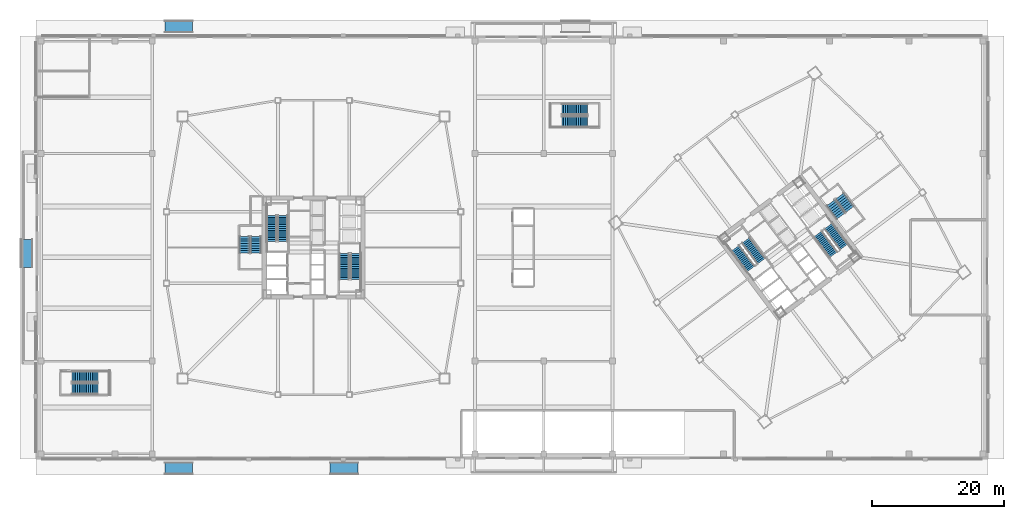
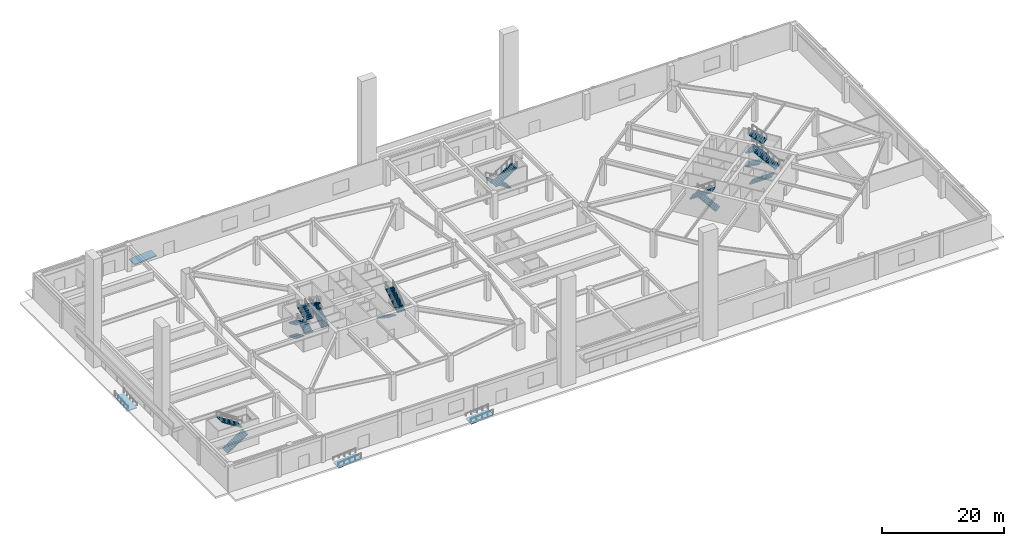
# One storey, part 15 of 26: 20 stair flights, 4 ramp flights, 12 elements without a shape of their own.
"""IFC4 building model written with IfcOpenShell, lengths in metres."""

from ifc_helpers import new_model, si_unit, direction, frame, origin, place, context, subcontext, project, spatial, polyline, outline, extrude, material, layer, layer_set, type_object, element, aggregate, save


model = new_model("IFC4")

# Units and contexts
model_context = context("Model", 3, precision=1e-05, world=origin(), true_north=direction((0.0, 1.0)))
body_context = subcontext(model_context, "Body", "Model", "MODEL_VIEW")
ifc_project = project(units=[si_unit("LENGTHUNIT", "METRE"), si_unit("AREAUNIT", "SQUARE_METRE"), si_unit("VOLUMEUNIT", "CUBIC_METRE"), si_unit("PLANEANGLEUNIT", "RADIAN"), si_unit("MASSUNIT", "GRAM", prefix="KILO")], contexts=[model_context])

# Site, building, storey
site_placement = place(None, origin())
site = spatial("IfcSite", under=ifc_project, at=site_placement, CompositionType="ELEMENT")
building_placement = place(site_placement, origin())
building = spatial("IfcBuilding", under=site, at=building_placement, Name="Tashvorn Skyway Center", CompositionType="ELEMENT")
storey_placement = place(building_placement, origin())
storey = spatial("IfcBuildingStorey", under=building, at=storey_placement, Name="L00", CompositionType="ELEMENT", Elevation=0.0)

# Stair, stair flights
ifc_material = material(Name="Concrete C40/50", Category="concrete")
stair_type_1 = type_object("IfcStairType", Name="STAIR-CORE-1500", PredefinedType="HALF_TURN_STAIR", material=ifc_material)
stair_1_placement = place(storey_placement, origin())
stair_1 = element("IfcStair", 1, at=stair_1_placement, inside=storey, type_object=stair_type_1, Name="L00 Tower 1 Exit Stair 1", PredefinedType="HALF_TURN_STAIR")
stair_flight_type_1 = type_object("IfcStairFlightType", Name="SFLIGHT-1500", PredefinedType="STRAIGHT", material=ifc_material)
stair_flight_1_placement = place(storey_placement, frame((37.35009765625, 32.919921875, 0.0), z_axis=(0.0, 0.0, 1.0), x_axis=(0.0, 1.0, 0.0)))
stair_flight_1 = element("IfcStairFlight", 2, at=stair_flight_1_placement, type_object=stair_flight_type_1, Name="ST-T1-1 flight 1", NumberOfRisers=15, NumberOfTreads=14, PredefinedType="STRAIGHT", RiserHeight=0.18, TreadLength=0.28, context=body_context, shape_type="SweptSolid", body=[
    extrude(outline(polyline([(0.0, 0.0), (0.0, 0.179931640625), (0.280029296875, 0.179931640625), (0.280029296875, 0.360107421875), (0.56005859375, 0.360107421875), (0.56005859375, 0.5400390625), (0.840087890625, 0.5400390625), (0.840087890625, 0.719970703125), (1.1201171875, 0.719970703125), (1.1201171875, 0.89990234375), (1.39990234375, 0.89990234375), (1.39990234375, 1.080078125), (1.679931640625, 1.080078125), (1.679931640625, 1.260009765625), (1.9599609375, 1.260009765625), (1.9599609375, 1.43994140625), (2.239990234375, 1.43994140625), (2.239990234375, 1.6201171875), (2.52001953125, 1.6201171875), (2.52001953125, 1.800048828125), (2.800048828125, 1.800048828125), (2.800048828125, 1.97998046875), (3.080078125, 1.97998046875), (3.080078125, 2.159912109375), (3.360107421875, 2.159912109375), (3.360107421875, 2.340087890625), (3.639892578125, 2.340087890625), (3.639892578125, 2.52001953125), (3.919921875, 2.52001953125), (3.919921875, 2.699951171875), (3.919921875, 2.341796875), (0.277099609375, 0.0), (0.0, 0.0)])), frame((0.0, 0.75, 0.0), z_axis=(0.0, -1.0, 0.0), x_axis=(1.0, 0.0, 0.0)), (0.0, 0.0, 1.0), 1.5),
])
stair_flight_2_placement = place(storey_placement, frame((35.64990234375, 36.840087890625, 2.699951171875), z_axis=(0.0, 0.0, 1.0), x_axis=(0.0, -1.0, 0.0)))
stair_flight_2 = element("IfcStairFlight", 3, at=stair_flight_2_placement, type_object=stair_flight_type_1, Name="ST-T1-1 flight 2", NumberOfRisers=15, NumberOfTreads=14, PredefinedType="STRAIGHT", RiserHeight=0.18, TreadLength=0.28, context=body_context, shape_type="SweptSolid", body=[
    extrude(outline(polyline([(0.0, 0.0), (0.0, 0.179931640625), (0.280029296875, 0.179931640625), (0.280029296875, 0.360107421875), (0.56005859375, 0.360107421875), (0.56005859375, 0.5400390625), (0.840087890625, 0.5400390625), (0.840087890625, 0.719970703125), (1.1201171875, 0.719970703125), (1.1201171875, 0.89990234375), (1.39990234375, 0.89990234375), (1.39990234375, 1.080078125), (1.679931640625, 1.080078125), (1.679931640625, 1.260009765625), (1.9599609375, 1.260009765625), (1.9599609375, 1.43994140625), (2.239990234375, 1.43994140625), (2.239990234375, 1.6201171875), (2.52001953125, 1.6201171875), (2.52001953125, 1.800048828125), (2.800048828125, 1.800048828125), (2.800048828125, 1.97998046875), (3.080078125, 1.97998046875), (3.080078125, 2.159912109375), (3.360107421875, 2.159912109375), (3.360107421875, 2.340087890625), (3.639892578125, 2.340087890625), (3.639892578125, 2.52001953125), (3.919921875, 2.52001953125), (3.919921875, 2.699951171875), (3.919921875, 2.341796875), (0.277099609375, 0.0), (0.0, 0.0)])), frame((0.0, 0.75, 0.0), z_axis=(0.0, -1.0, 0.0), x_axis=(1.0, 0.0, 0.0)), (0.0, 0.0, 1.0), 1.5),
])
aggregate(stair_1, [stair_flight_1, stair_flight_2])

stair_2_placement = place(storey_placement, origin())
stair_2 = element("IfcStair", 4, at=stair_2_placement, inside=storey, type_object=stair_type_1, Name="L00 Tower 1 Exit Stair 2", PredefinedType="HALF_TURN_STAIR")
stair_flight_3_placement = place(storey_placement, frame((46.64990234375, 31.080078125, 0.0), z_axis=(0.0, 0.0, 1.0), x_axis=(0.0, -1.0, 0.0)))
stair_flight_3 = element("IfcStairFlight", 5, at=stair_flight_3_placement, type_object=stair_flight_type_1, Name="ST-T1-2 flight 1", NumberOfRisers=15, NumberOfTreads=14, PredefinedType="STRAIGHT", RiserHeight=0.18, TreadLength=0.28, context=body_context, shape_type="SweptSolid", body=[
    extrude(outline(polyline([(0.0, 0.0), (0.0, 0.179931640625), (0.280029296875, 0.179931640625), (0.280029296875, 0.360107421875), (0.56005859375, 0.360107421875), (0.56005859375, 0.5400390625), (0.840087890625, 0.5400390625), (0.840087890625, 0.719970703125), (1.1201171875, 0.719970703125), (1.1201171875, 0.89990234375), (1.39990234375, 0.89990234375), (1.39990234375, 1.080078125), (1.679931640625, 1.080078125), (1.679931640625, 1.260009765625), (1.9599609375, 1.260009765625), (1.9599609375, 1.43994140625), (2.239990234375, 1.43994140625), (2.239990234375, 1.6201171875), (2.52001953125, 1.6201171875), (2.52001953125, 1.800048828125), (2.800048828125, 1.800048828125), (2.800048828125, 1.97998046875), (3.080078125, 1.97998046875), (3.080078125, 2.159912109375), (3.360107421875, 2.159912109375), (3.360107421875, 2.340087890625), (3.639892578125, 2.340087890625), (3.639892578125, 2.52001953125), (3.919921875, 2.52001953125), (3.919921875, 2.699951171875), (3.919921875, 2.341796875), (0.277099609375, 0.0), (0.0, 0.0)])), frame((0.0, 0.75, 0.0), z_axis=(0.0, -1.0, 0.0), x_axis=(1.0, 0.0, 0.0)), (0.0, 0.0, 1.0), 1.5),
])
stair_flight_4_placement = place(storey_placement, frame((48.35009765625, 27.159912109375, 2.699951171875), z_axis=(0.0, 0.0, 1.0), x_axis=(0.0, 1.0, 0.0)))
stair_flight_4 = element("IfcStairFlight", 6, at=stair_flight_4_placement, type_object=stair_flight_type_1, Name="ST-T1-2 flight 2", NumberOfRisers=15, NumberOfTreads=14, PredefinedType="STRAIGHT", RiserHeight=0.18, TreadLength=0.28, context=body_context, shape_type="SweptSolid", body=[
    extrude(outline(polyline([(0.0, 0.0), (0.0, 0.179931640625), (0.280029296875, 0.179931640625), (0.280029296875, 0.360107421875), (0.56005859375, 0.360107421875), (0.56005859375, 0.5400390625), (0.840087890625, 0.5400390625), (0.840087890625, 0.719970703125), (1.1201171875, 0.719970703125), (1.1201171875, 0.89990234375), (1.39990234375, 0.89990234375), (1.39990234375, 1.080078125), (1.679931640625, 1.080078125), (1.679931640625, 1.260009765625), (1.9599609375, 1.260009765625), (1.9599609375, 1.43994140625), (2.239990234375, 1.43994140625), (2.239990234375, 1.6201171875), (2.52001953125, 1.6201171875), (2.52001953125, 1.800048828125), (2.800048828125, 1.800048828125), (2.800048828125, 1.97998046875), (3.080078125, 1.97998046875), (3.080078125, 2.159912109375), (3.360107421875, 2.159912109375), (3.360107421875, 2.340087890625), (3.639892578125, 2.340087890625), (3.639892578125, 2.52001953125), (3.919921875, 2.52001953125), (3.919921875, 2.699951171875), (3.919921875, 2.341796875), (0.277099609375, 0.0), (0.0, 0.0)])), frame((0.0, 0.75, 0.0), z_axis=(0.0, -1.0, 0.0), x_axis=(1.0, 0.0, 0.0)), (0.0, 0.0, 1.0), 1.5),
])
aggregate(stair_2, [stair_flight_3, stair_flight_4])

stair_3_placement = place(storey_placement, origin())
stair_3 = element("IfcStair", 7, at=stair_3_placement, inside=storey, type_object=stair_type_1, Name="L00 Tower 2 Exit Stair 1", PredefinedType="HALF_TURN_STAIR")
stair_flight_5_placement = place(storey_placement, frame((109.72802734375, 29.946044921875, 0.0), z_axis=(0.0, 0.0, 1.0), x_axis=(-0.600000004945, 0.799999996291, 0.0)))
stair_flight_5 = element("IfcStairFlight", 8, at=stair_flight_5_placement, type_object=stair_flight_type_1, Name="ST-T2-1 flight 1", NumberOfRisers=15, NumberOfTreads=14, PredefinedType="STRAIGHT", RiserHeight=0.18, TreadLength=0.28, context=body_context, shape_type="SweptSolid", body=[
    extrude(outline(polyline([(0.0, 0.0), (0.0, 0.179931640625), (0.280029296875, 0.179931640625), (0.280029296875, 0.360107421875), (0.56005859375, 0.360107421875), (0.56005859375, 0.5400390625), (0.840087890625, 0.5400390625), (0.840087890625, 0.719970703125), (1.1201171875, 0.719970703125), (1.1201171875, 0.89990234375), (1.39990234375, 0.89990234375), (1.39990234375, 1.080078125), (1.679931640625, 1.080078125), (1.679931640625, 1.260009765625), (1.9599609375, 1.260009765625), (1.9599609375, 1.43994140625), (2.239990234375, 1.43994140625), (2.239990234375, 1.6201171875), (2.52001953125, 1.6201171875), (2.52001953125, 1.800048828125), (2.800048828125, 1.800048828125), (2.800048828125, 1.97998046875), (3.080078125, 1.97998046875), (3.080078125, 2.159912109375), (3.360107421875, 2.159912109375), (3.360107421875, 2.340087890625), (3.639892578125, 2.340087890625), (3.639892578125, 2.52001953125), (3.919921875, 2.52001953125), (3.919921875, 2.699951171875), (3.919921875, 2.341796875), (0.277099609375, 0.0), (0.0, 0.0)])), frame((0.0, 0.75, 0.0), z_axis=(0.0, -1.0, 0.0), x_axis=(1.0, 0.0, 0.0)), (0.0, 0.0, 1.0), 1.5),
])
stair_flight_6_placement = place(storey_placement, frame((105.7919921875, 31.89404296875, 2.699951171875), z_axis=(0.0, 0.0, 1.0), x_axis=(0.600000004945, -0.799999996291, 0.0)))
stair_flight_6 = element("IfcStairFlight", 9, at=stair_flight_6_placement, type_object=stair_flight_type_1, Name="ST-T2-1 flight 2", NumberOfRisers=15, NumberOfTreads=14, PredefinedType="STRAIGHT", RiserHeight=0.18, TreadLength=0.28, context=body_context, shape_type="SweptSolid", body=[
    extrude(outline(polyline([(0.0, 0.0), (0.0, 0.179931640625), (0.280029296875, 0.179931640625), (0.280029296875, 0.360107421875), (0.56005859375, 0.360107421875), (0.56005859375, 0.5400390625), (0.840087890625, 0.5400390625), (0.840087890625, 0.719970703125), (1.1201171875, 0.719970703125), (1.1201171875, 0.89990234375), (1.39990234375, 0.89990234375), (1.39990234375, 1.080078125), (1.679931640625, 1.080078125), (1.679931640625, 1.260009765625), (1.9599609375, 1.260009765625), (1.9599609375, 1.43994140625), (2.239990234375, 1.43994140625), (2.239990234375, 1.6201171875), (2.52001953125, 1.6201171875), (2.52001953125, 1.800048828125), (2.800048828125, 1.800048828125), (2.800048828125, 1.97998046875), (3.080078125, 1.97998046875), (3.080078125, 2.159912109375), (3.360107421875, 2.159912109375), (3.360107421875, 2.340087890625), (3.639892578125, 2.340087890625), (3.639892578125, 2.52001953125), (3.919921875, 2.52001953125), (3.919921875, 2.699951171875), (3.919921875, 2.341796875), (0.277099609375, 0.0), (0.0, 0.0)])), frame((0.0, 0.75, 0.0), z_axis=(0.0, -1.0, 0.0), x_axis=(1.0, 0.0, 0.0)), (0.0, 0.0, 1.0), 1.5),
])
aggregate(stair_3, [stair_flight_5, stair_flight_6])

stair_4_placement = place(storey_placement, origin())
stair_4 = element("IfcStair", 10, at=stair_4_placement, inside=storey, type_object=stair_type_1, Name="L00 Tower 2 Exit Stair 2", PredefinedType="HALF_TURN_STAIR")
stair_flight_7_placement = place(storey_placement, frame((118.27197265625, 34.053955078125, 0.0), z_axis=(0.0, 0.0, 1.0), x_axis=(0.600000004945, -0.799999996291, 0.0)))
stair_flight_7 = element("IfcStairFlight", 11, at=stair_flight_7_placement, type_object=stair_flight_type_1, Name="ST-T2-2 flight 1", NumberOfRisers=15, NumberOfTreads=14, PredefinedType="STRAIGHT", RiserHeight=0.18, TreadLength=0.28, context=body_context, shape_type="SweptSolid", body=[
    extrude(outline(polyline([(0.0, 0.0), (0.0, 0.179931640625), (0.280029296875, 0.179931640625), (0.280029296875, 0.360107421875), (0.56005859375, 0.360107421875), (0.56005859375, 0.5400390625), (0.840087890625, 0.5400390625), (0.840087890625, 0.719970703125), (1.1201171875, 0.719970703125), (1.1201171875, 0.89990234375), (1.39990234375, 0.89990234375), (1.39990234375, 1.080078125), (1.679931640625, 1.080078125), (1.679931640625, 1.260009765625), (1.9599609375, 1.260009765625), (1.9599609375, 1.43994140625), (2.239990234375, 1.43994140625), (2.239990234375, 1.6201171875), (2.52001953125, 1.6201171875), (2.52001953125, 1.800048828125), (2.800048828125, 1.800048828125), (2.800048828125, 1.97998046875), (3.080078125, 1.97998046875), (3.080078125, 2.159912109375), (3.360107421875, 2.159912109375), (3.360107421875, 2.340087890625), (3.639892578125, 2.340087890625), (3.639892578125, 2.52001953125), (3.919921875, 2.52001953125), (3.919921875, 2.699951171875), (3.919921875, 2.341796875), (0.277099609375, 0.0), (0.0, 0.0)])), frame((0.0, 0.75, 0.0), z_axis=(0.0, -1.0, 0.0), x_axis=(1.0, 0.0, 0.0)), (0.0, 0.0, 1.0), 1.5),
])
stair_flight_8_placement = place(storey_placement, frame((122.2080078125, 32.10595703125, 2.699951171875), z_axis=(0.0, 0.0, 1.0), x_axis=(-0.600000004945, 0.799999996291, 0.0)))
stair_flight_8 = element("IfcStairFlight", 12, at=stair_flight_8_placement, type_object=stair_flight_type_1, Name="ST-T2-2 flight 2", NumberOfRisers=15, NumberOfTreads=14, PredefinedType="STRAIGHT", RiserHeight=0.18, TreadLength=0.28, context=body_context, shape_type="SweptSolid", body=[
    extrude(outline(polyline([(0.0, 0.0), (0.0, 0.179931640625), (0.280029296875, 0.179931640625), (0.280029296875, 0.360107421875), (0.56005859375, 0.360107421875), (0.56005859375, 0.5400390625), (0.840087890625, 0.5400390625), (0.840087890625, 0.719970703125), (1.1201171875, 0.719970703125), (1.1201171875, 0.89990234375), (1.39990234375, 0.89990234375), (1.39990234375, 1.080078125), (1.679931640625, 1.080078125), (1.679931640625, 1.260009765625), (1.9599609375, 1.260009765625), (1.9599609375, 1.43994140625), (2.239990234375, 1.43994140625), (2.239990234375, 1.6201171875), (2.52001953125, 1.6201171875), (2.52001953125, 1.800048828125), (2.800048828125, 1.800048828125), (2.800048828125, 1.97998046875), (3.080078125, 1.97998046875), (3.080078125, 2.159912109375), (3.360107421875, 2.159912109375), (3.360107421875, 2.340087890625), (3.639892578125, 2.340087890625), (3.639892578125, 2.52001953125), (3.919921875, 2.52001953125), (3.919921875, 2.699951171875), (3.919921875, 2.341796875), (0.277099609375, 0.0), (0.0, 0.0)])), frame((0.0, 0.75, 0.0), z_axis=(0.0, -1.0, 0.0), x_axis=(1.0, 0.0, 0.0)), (0.0, 0.0, 1.0), 1.5),
])
aggregate(stair_4, [stair_flight_7, stair_flight_8])

stair_5_placement = place(storey_placement, origin())
stair_5 = element("IfcStair", 13, at=stair_5_placement, inside=storey, type_object=stair_type_1, Name="L00 Tower 1 Exit Stair 3", PredefinedType="HALF_TURN_STAIR")
stair_flight_9_placement = place(storey_placement, frame((31.550048828125, 33.679931640625, 0.0), z_axis=(0.0, 0.0, 1.0), x_axis=(0.0, -1.0, 0.0)))
stair_flight_9 = element("IfcStairFlight", 14, at=stair_flight_9_placement, type_object=stair_flight_type_1, Name="ST-T1-3 flight 1", NumberOfRisers=8, NumberOfTreads=7, PredefinedType="STRAIGHT", RiserHeight=0.16875, TreadLength=0.36, context=body_context, shape_type="SweptSolid", body=[
    extrude(outline(polyline([(0.0, 0.0), (0.0, 0.168701171875), (0.360107421875, 0.168701171875), (0.360107421875, 0.33740234375), (0.719970703125, 0.33740234375), (0.719970703125, 0.50634765625), (1.080078125, 0.50634765625), (1.080078125, 0.675048828125), (1.43994140625, 0.675048828125), (1.43994140625, 0.84375), (1.800048828125, 0.84375), (1.800048828125, 1.012451171875), (2.159912109375, 1.012451171875), (2.159912109375, 1.18115234375), (2.52001953125, 1.18115234375), (2.52001953125, 1.35009765625), (2.52001953125, 1.015625), (0.353271484375, 0.0), (0.0, 0.0)])), frame((0.0, 0.75, 0.0), z_axis=(0.0, -1.0, 0.0), x_axis=(1.0, 0.0, 0.0)), (0.0, 0.0, 1.0), 1.5),
])
stair_flight_10_placement = place(storey_placement, frame((33.25, 31.159912109375, 1.35009765625), z_axis=(0.0, 0.0, 1.0), x_axis=(0.0, 1.0, 0.0)))
stair_flight_10 = element("IfcStairFlight", 15, at=stair_flight_10_placement, type_object=stair_flight_type_1, Name="ST-T1-3 flight 2", NumberOfRisers=8, NumberOfTreads=7, PredefinedType="STRAIGHT", RiserHeight=0.16875, TreadLength=0.36, context=body_context, shape_type="SweptSolid", body=[
    extrude(outline(polyline([(0.0, 0.0), (0.0, 0.168701171875), (0.360107421875, 0.168701171875), (0.360107421875, 0.33740234375), (0.719970703125, 0.33740234375), (0.719970703125, 0.50634765625), (1.080078125, 0.50634765625), (1.080078125, 0.675048828125), (1.43994140625, 0.675048828125), (1.43994140625, 0.84375), (1.800048828125, 0.84375), (1.800048828125, 1.012451171875), (2.159912109375, 1.012451171875), (2.159912109375, 1.18115234375), (2.52001953125, 1.18115234375), (2.52001953125, 1.35009765625), (2.52001953125, 1.015625), (0.353271484375, 0.0), (0.0, 0.0)])), frame((0.0, 0.75, 0.0), z_axis=(0.0, -1.0, 0.0), x_axis=(1.0, 0.0, 0.0)), (0.0, 0.0, 1.0), 1.5),
])
stair_flight_11_placement = place(storey_placement, frame((31.550048828125, 33.679931640625, 2.699951171875), z_axis=(0.0, 0.0, 1.0), x_axis=(0.0, -1.0, 0.0)))
stair_flight_11 = element("IfcStairFlight", 16, at=stair_flight_11_placement, type_object=stair_flight_type_1, Name="ST-T1-3 flight 3", NumberOfRisers=8, NumberOfTreads=7, PredefinedType="STRAIGHT", RiserHeight=0.16875, TreadLength=0.36, context=body_context, shape_type="SweptSolid", body=[
    extrude(outline(polyline([(0.0, 0.0), (0.0, 0.168701171875), (0.360107421875, 0.168701171875), (0.360107421875, 0.33740234375), (0.719970703125, 0.33740234375), (0.719970703125, 0.50634765625), (1.080078125, 0.50634765625), (1.080078125, 0.675048828125), (1.43994140625, 0.675048828125), (1.43994140625, 0.84375), (1.800048828125, 0.84375), (1.800048828125, 1.012451171875), (2.159912109375, 1.012451171875), (2.159912109375, 1.18115234375), (2.52001953125, 1.18115234375), (2.52001953125, 1.35009765625), (2.52001953125, 1.015625), (0.353271484375, 0.0), (0.0, 0.0)])), frame((0.0, 0.75, 0.0), z_axis=(0.0, -1.0, 0.0), x_axis=(1.0, 0.0, 0.0)), (0.0, 0.0, 1.0), 1.5),
])
stair_flight_12_placement = place(storey_placement, frame((33.25, 31.159912109375, 4.050048828125), z_axis=(0.0, 0.0, 1.0), x_axis=(0.0, 1.0, 0.0)))
stair_flight_12 = element("IfcStairFlight", 17, at=stair_flight_12_placement, type_object=stair_flight_type_1, Name="ST-T1-3 flight 4", NumberOfRisers=8, NumberOfTreads=7, PredefinedType="STRAIGHT", RiserHeight=0.16875, TreadLength=0.36, context=body_context, shape_type="SweptSolid", body=[
    extrude(outline(polyline([(0.0, 0.0), (0.0, 0.168701171875), (0.360107421875, 0.168701171875), (0.360107421875, 0.33740234375), (0.719970703125, 0.33740234375), (0.719970703125, 0.50634765625), (1.080078125, 0.50634765625), (1.080078125, 0.675048828125), (1.43994140625, 0.675048828125), (1.43994140625, 0.84375), (1.800048828125, 0.84375), (1.800048828125, 1.012451171875), (2.159912109375, 1.012451171875), (2.159912109375, 1.18115234375), (2.52001953125, 1.18115234375), (2.52001953125, 1.35009765625), (2.52001953125, 1.015625), (0.353271484375, 0.0), (0.0, 0.0)])), frame((0.0, 0.75, 0.0), z_axis=(0.0, -1.0, 0.0), x_axis=(1.0, 0.0, 0.0)), (0.0, 0.0, 1.0), 1.5),
])
aggregate(stair_5, [stair_flight_9, stair_flight_10, stair_flight_11, stair_flight_12])

stair_6_placement = place(storey_placement, origin())
stair_6 = element("IfcStair", 18, at=stair_6_placement, inside=storey, type_object=stair_type_1, Name="L00 Tower 2 Exit Stair 3", PredefinedType="HALF_TURN_STAIR")
stair_flight_13_placement = place(storey_placement, frame((120.216064453125, 38.761962890625, 0.0), z_axis=(0.0, 0.0, 1.0), x_axis=(0.600000004945, -0.799999996291, 0.0)))
stair_flight_13 = element("IfcStairFlight", 19, at=stair_flight_13_placement, type_object=stair_flight_type_1, Name="ST-T2-3 flight 1", NumberOfRisers=8, NumberOfTreads=7, PredefinedType="STRAIGHT", RiserHeight=0.16875, TreadLength=0.36, context=body_context, shape_type="SweptSolid", body=[
    extrude(outline(polyline([(0.0, 0.0), (0.0, 0.168701171875), (0.360107421875, 0.168701171875), (0.360107421875, 0.33740234375), (0.719970703125, 0.33740234375), (0.719970703125, 0.50634765625), (1.080078125, 0.50634765625), (1.080078125, 0.675048828125), (1.43994140625, 0.675048828125), (1.43994140625, 0.84375), (1.800048828125, 0.84375), (1.800048828125, 1.012451171875), (2.159912109375, 1.012451171875), (2.159912109375, 1.18115234375), (2.52001953125, 1.18115234375), (2.52001953125, 1.35009765625), (2.52001953125, 1.015625), (0.353271484375, 0.0), (0.0, 0.0)])), frame((0.0, 0.75, 0.0), z_axis=(0.0, -1.0, 0.0), x_axis=(1.0, 0.0, 0.0)), (0.0, 0.0, 1.0), 1.5),
])
stair_flight_14_placement = place(storey_placement, frame((123.087890625, 37.76611328125, 1.35009765625), z_axis=(0.0, 0.0, 1.0), x_axis=(-0.600000004945, 0.799999996291, 0.0)))
stair_flight_14 = element("IfcStairFlight", 20, at=stair_flight_14_placement, type_object=stair_flight_type_1, Name="ST-T2-3 flight 2", NumberOfRisers=8, NumberOfTreads=7, PredefinedType="STRAIGHT", RiserHeight=0.16875, TreadLength=0.36, context=body_context, shape_type="SweptSolid", body=[
    extrude(outline(polyline([(0.0, 0.0), (0.0, 0.168701171875), (0.360107421875, 0.168701171875), (0.360107421875, 0.33740234375), (0.719970703125, 0.33740234375), (0.719970703125, 0.50634765625), (1.080078125, 0.50634765625), (1.080078125, 0.675048828125), (1.43994140625, 0.675048828125), (1.43994140625, 0.84375), (1.800048828125, 0.84375), (1.800048828125, 1.012451171875), (2.159912109375, 1.012451171875), (2.159912109375, 1.18115234375), (2.52001953125, 1.18115234375), (2.52001953125, 1.35009765625), (2.52001953125, 1.015625), (0.353271484375, 0.0), (0.0, 0.0)])), frame((0.0, 0.75, 0.0), z_axis=(0.0, -1.0, 0.0), x_axis=(1.0, 0.0, 0.0)), (0.0, 0.0, 1.0), 1.5),
])
stair_flight_15_placement = place(storey_placement, frame((120.216064453125, 38.761962890625, 2.699951171875), z_axis=(0.0, 0.0, 1.0), x_axis=(0.600000004945, -0.799999996291, 0.0)))
stair_flight_15 = element("IfcStairFlight", 21, at=stair_flight_15_placement, type_object=stair_flight_type_1, Name="ST-T2-3 flight 3", NumberOfRisers=8, NumberOfTreads=7, PredefinedType="STRAIGHT", RiserHeight=0.16875, TreadLength=0.36, context=body_context, shape_type="SweptSolid", body=[
    extrude(outline(polyline([(0.0, 0.0), (0.0, 0.168701171875), (0.360107421875, 0.168701171875), (0.360107421875, 0.33740234375), (0.719970703125, 0.33740234375), (0.719970703125, 0.50634765625), (1.080078125, 0.50634765625), (1.080078125, 0.675048828125), (1.43994140625, 0.675048828125), (1.43994140625, 0.84375), (1.800048828125, 0.84375), (1.800048828125, 1.012451171875), (2.159912109375, 1.012451171875), (2.159912109375, 1.18115234375), (2.52001953125, 1.18115234375), (2.52001953125, 1.35009765625), (2.52001953125, 1.015625), (0.353271484375, 0.0), (0.0, 0.0)])), frame((0.0, 0.75, 0.0), z_axis=(0.0, -1.0, 0.0), x_axis=(1.0, 0.0, 0.0)), (0.0, 0.0, 1.0), 1.5),
])
stair_flight_16_placement = place(storey_placement, frame((123.087890625, 37.76611328125, 4.050048828125), z_axis=(0.0, 0.0, 1.0), x_axis=(-0.600000004945, 0.799999996291, 0.0)))
stair_flight_16 = element("IfcStairFlight", 22, at=stair_flight_16_placement, type_object=stair_flight_type_1, Name="ST-T2-3 flight 4", NumberOfRisers=8, NumberOfTreads=7, PredefinedType="STRAIGHT", RiserHeight=0.16875, TreadLength=0.36, context=body_context, shape_type="SweptSolid", body=[
    extrude(outline(polyline([(0.0, 0.0), (0.0, 0.168701171875), (0.360107421875, 0.168701171875), (0.360107421875, 0.33740234375), (0.719970703125, 0.33740234375), (0.719970703125, 0.50634765625), (1.080078125, 0.50634765625), (1.080078125, 0.675048828125), (1.43994140625, 0.675048828125), (1.43994140625, 0.84375), (1.800048828125, 0.84375), (1.800048828125, 1.012451171875), (2.159912109375, 1.012451171875), (2.159912109375, 1.18115234375), (2.52001953125, 1.18115234375), (2.52001953125, 1.35009765625), (2.52001953125, 1.015625), (0.353271484375, 0.0), (0.0, 0.0)])), frame((0.0, 0.75, 0.0), z_axis=(0.0, -1.0, 0.0), x_axis=(1.0, 0.0, 0.0)), (0.0, 0.0, 1.0), 1.5),
])
aggregate(stair_6, [stair_flight_13, stair_flight_14, stair_flight_15, stair_flight_16])

stair_type_2 = type_object("IfcStairType", Name="STAIR-POD-1650", PredefinedType="HALF_TURN_STAIR", material=ifc_material)
stair_7_placement = place(storey_placement, origin())
stair_7 = element("IfcStair", 23, at=stair_7_placement, inside=storey, type_object=stair_type_2, Name="L00 Podium West Exit Stair 1", PredefinedType="HALF_TURN_STAIR")
stair_flight_type_2 = type_object("IfcStairFlightType", Name="SFLIGHT-1650", PredefinedType="STRAIGHT", material=ifc_material)
stair_flight_17_placement = place(storey_placement, frame((5.449951171875, 10.625, 0.0), z_axis=(0.0, 0.0, 1.0), x_axis=(1.0, 0.0, 0.0)))
stair_flight_17 = element("IfcStairFlight", 24, at=stair_flight_17_placement, type_object=stair_flight_type_2, Name="ST-POD-1 flight 1", NumberOfRisers=15, NumberOfTreads=14, PredefinedType="STRAIGHT", RiserHeight=0.18, TreadLength=0.28, context=body_context, shape_type="SweptSolid", body=[
    extrude(outline(polyline([(0.0, 0.0), (0.0, 0.179931640625), (0.280029296875, 0.179931640625), (0.280029296875, 0.360107421875), (0.56005859375, 0.360107421875), (0.56005859375, 0.5400390625), (0.840087890625, 0.5400390625), (0.840087890625, 0.719970703125), (1.1201171875, 0.719970703125), (1.1201171875, 0.89990234375), (1.39990234375, 0.89990234375), (1.39990234375, 1.080078125), (1.679931640625, 1.080078125), (1.679931640625, 1.260009765625), (1.9599609375, 1.260009765625), (1.9599609375, 1.43994140625), (2.239990234375, 1.43994140625), (2.239990234375, 1.6201171875), (2.52001953125, 1.6201171875), (2.52001953125, 1.800048828125), (2.800048828125, 1.800048828125), (2.800048828125, 1.97998046875), (3.080078125, 1.97998046875), (3.080078125, 2.159912109375), (3.360107421875, 2.159912109375), (3.360107421875, 2.340087890625), (3.639892578125, 2.340087890625), (3.639892578125, 2.52001953125), (3.919921875, 2.52001953125), (3.919921875, 2.699951171875), (3.919921875, 2.341796875), (0.277099609375, 0.0), (0.0, 0.0)])), frame((0.0, 0.824951171875, 0.0), z_axis=(0.0, -1.0, 0.0), x_axis=(1.0, 0.0, 0.0)), (0.0, 0.0, 1.0), 1.64990234375),
])
stair_flight_18_placement = place(storey_placement, frame((9.3701171875, 12.47509765625, 2.699951171875), z_axis=(0.0, 0.0, 1.0), x_axis=(-1.0, 0.0, 0.0)))
stair_flight_18 = element("IfcStairFlight", 25, at=stair_flight_18_placement, type_object=stair_flight_type_2, Name="ST-POD-1 flight 2", NumberOfRisers=15, NumberOfTreads=14, PredefinedType="STRAIGHT", RiserHeight=0.18, TreadLength=0.28, context=body_context, shape_type="SweptSolid", body=[
    extrude(outline(polyline([(0.0, 0.0), (0.0, 0.179931640625), (0.280029296875, 0.179931640625), (0.280029296875, 0.360107421875), (0.56005859375, 0.360107421875), (0.56005859375, 0.5400390625), (0.840087890625, 0.5400390625), (0.840087890625, 0.719970703125), (1.1201171875, 0.719970703125), (1.1201171875, 0.89990234375), (1.39990234375, 0.89990234375), (1.39990234375, 1.080078125), (1.679931640625, 1.080078125), (1.679931640625, 1.260009765625), (1.9599609375, 1.260009765625), (1.9599609375, 1.43994140625), (2.239990234375, 1.43994140625), (2.239990234375, 1.6201171875), (2.52001953125, 1.6201171875), (2.52001953125, 1.800048828125), (2.800048828125, 1.800048828125), (2.800048828125, 1.97998046875), (3.080078125, 1.97998046875), (3.080078125, 2.159912109375), (3.360107421875, 2.159912109375), (3.360107421875, 2.340087890625), (3.639892578125, 2.340087890625), (3.639892578125, 2.52001953125), (3.919921875, 2.52001953125), (3.919921875, 2.699951171875), (3.919921875, 2.341796875), (0.277099609375, 0.0), (0.0, 0.0)])), frame((0.0, 0.824951171875, 0.0), z_axis=(0.0, -1.0, 0.0), x_axis=(1.0, 0.0, 0.0)), (0.0, 0.0, 1.0), 1.64990234375),
])
aggregate(stair_7, [stair_flight_17, stair_flight_18])

stair_8_placement = place(storey_placement, origin())
stair_8 = element("IfcStair", 26, at=stair_8_placement, inside=storey, type_object=stair_type_2, Name="L00 Podium East Exit Stair 2", PredefinedType="HALF_TURN_STAIR")
stair_flight_19_placement = place(storey_placement, frame((83.449951171875, 52.875, 0.0), z_axis=(0.0, 0.0, 1.0), x_axis=(-1.0, 0.0, 0.0)))
stair_flight_19 = element("IfcStairFlight", 27, at=stair_flight_19_placement, type_object=stair_flight_type_2, Name="ST-POD-2 flight 1", NumberOfRisers=15, NumberOfTreads=14, PredefinedType="STRAIGHT", RiserHeight=0.18, TreadLength=0.28, context=body_context, shape_type="SweptSolid", body=[
    extrude(outline(polyline([(0.0, 0.0), (0.0, 0.179931640625), (0.280029296875, 0.179931640625), (0.280029296875, 0.360107421875), (0.56005859375, 0.360107421875), (0.56005859375, 0.5400390625), (0.840087890625, 0.5400390625), (0.840087890625, 0.719970703125), (1.1201171875, 0.719970703125), (1.1201171875, 0.89990234375), (1.39990234375, 0.89990234375), (1.39990234375, 1.080078125), (1.679931640625, 1.080078125), (1.679931640625, 1.260009765625), (1.9599609375, 1.260009765625), (1.9599609375, 1.43994140625), (2.239990234375, 1.43994140625), (2.239990234375, 1.6201171875), (2.52001953125, 1.6201171875), (2.52001953125, 1.800048828125), (2.800048828125, 1.800048828125), (2.800048828125, 1.97998046875), (3.080078125, 1.97998046875), (3.080078125, 2.159912109375), (3.360107421875, 2.159912109375), (3.360107421875, 2.340087890625), (3.639892578125, 2.340087890625), (3.639892578125, 2.52001953125), (3.919921875, 2.52001953125), (3.919921875, 2.699951171875), (3.919921875, 2.341796875), (0.277099609375, 0.0), (0.0, 0.0)])), frame((0.0, 0.824951171875, 0.0), z_axis=(0.0, -1.0, 0.0), x_axis=(1.0, 0.0, 0.0)), (0.0, 0.0, 1.0), 1.64990234375),
])
stair_flight_20_placement = place(storey_placement, frame((79.530029296875, 51.02490234375, 2.699951171875), z_axis=(0.0, 0.0, 1.0), x_axis=(1.0, 0.0, 0.0)))
stair_flight_20 = element("IfcStairFlight", 28, at=stair_flight_20_placement, type_object=stair_flight_type_2, Name="ST-POD-2 flight 2", NumberOfRisers=15, NumberOfTreads=14, PredefinedType="STRAIGHT", RiserHeight=0.18, TreadLength=0.28, context=body_context, shape_type="SweptSolid", body=[
    extrude(outline(polyline([(0.0, 0.0), (0.0, 0.179931640625), (0.280029296875, 0.179931640625), (0.280029296875, 0.360107421875), (0.56005859375, 0.360107421875), (0.56005859375, 0.5400390625), (0.840087890625, 0.5400390625), (0.840087890625, 0.719970703125), (1.1201171875, 0.719970703125), (1.1201171875, 0.89990234375), (1.39990234375, 0.89990234375), (1.39990234375, 1.080078125), (1.679931640625, 1.080078125), (1.679931640625, 1.260009765625), (1.9599609375, 1.260009765625), (1.9599609375, 1.43994140625), (2.239990234375, 1.43994140625), (2.239990234375, 1.6201171875), (2.52001953125, 1.6201171875), (2.52001953125, 1.800048828125), (2.800048828125, 1.800048828125), (2.800048828125, 1.97998046875), (3.080078125, 1.97998046875), (3.080078125, 2.159912109375), (3.360107421875, 2.159912109375), (3.360107421875, 2.340087890625), (3.639892578125, 2.340087890625), (3.639892578125, 2.52001953125), (3.919921875, 2.52001953125), (3.919921875, 2.699951171875), (3.919921875, 2.341796875), (0.277099609375, 0.0), (0.0, 0.0)])), frame((0.0, 0.824951171875, 0.0), z_axis=(0.0, -1.0, 0.0), x_axis=(1.0, 0.0, 0.0)), (0.0, 0.0, 1.0), 1.64990234375),
])
aggregate(stair_8, [stair_flight_19, stair_flight_20])

# Ramp, ramp flight
ramp_type = type_object("IfcRampType", Name="RAMP-PED-1800", PredefinedType="STRAIGHT_RUN_RAMP", material=ifc_material)
ramp_1_placement = place(storey_placement, origin())
ramp_1 = element("IfcRamp", 29, at=ramp_1_placement, inside=storey, type_object=ramp_type, Name="L00 Accessible Entrance Ramp S1", PredefinedType="STRAIGHT_RUN_RAMP")
ifc_layer = layer(ifc_material, 0.219970703125)
ifc_layer_set = layer_set([ifc_layer], Name="Concrete C40/50")
ramp_flight_type = type_object("IfcRampFlightType", Name="RFLIGHT-PED-1800", PredefinedType="STRAIGHT", material=ifc_layer_set)
ramp_flight_1_placement = place(storey_placement, frame((19.5, -2.300048828125, -0.35009765625), z_axis=(-0.083069450238, 0.0, 0.996543760423), x_axis=(0.996543760423, 0.0, 0.083069450238)))
ramp_flight_1 = element("IfcRampFlight", 30, at=ramp_flight_1_placement, type_object=ramp_flight_type, Name="L00 Accessible Entrance Ramp Flight S1", PredefinedType="STRAIGHT", context=body_context, shape_type="SweptSolid", body=[
    extrude(outline(polyline([(0.0, 0.0), (4.214517554245792, 0.0), (4.214517554245792, 1.8000488281250004), (0.0, 1.8000488281250004), (0.0, 0.0)])), origin(), (0.0, 0.0, -1.0), 0.219970703125),
])
aggregate(ramp_1, [ramp_flight_1])

ramp_2_placement = place(storey_placement, origin())
ramp_2 = element("IfcRamp", 31, at=ramp_2_placement, inside=storey, type_object=ramp_type, Name="L00 Accessible Entrance Ramp S2", PredefinedType="STRAIGHT_RUN_RAMP")
ramp_flight_2_placement = place(storey_placement, frame((44.5, -2.300048828125, -0.35009765625), z_axis=(-0.083069450238, 0.0, 0.996543760423), x_axis=(0.996543760423, 0.0, 0.083069450238)))
ramp_flight_2 = element("IfcRampFlight", 32, at=ramp_flight_2_placement, type_object=ramp_flight_type, Name="L00 Accessible Entrance Ramp Flight S2", PredefinedType="STRAIGHT", context=body_context, shape_type="SweptSolid", body=[
    extrude(outline(polyline([(0.0, 0.0), (4.214517554245792, 0.0), (4.214517554245792, 1.8000488281250004), (0.0, 1.8000488281250004), (0.0, 0.0)])), origin(), (0.0, 0.0, -1.0), 0.219970703125),
])
aggregate(ramp_2, [ramp_flight_2])

ramp_3_placement = place(storey_placement, origin())
ramp_3 = element("IfcRamp", 33, at=ramp_3_placement, inside=storey, type_object=ramp_type, Name="L00 Accessible Entrance Ramp N1", PredefinedType="STRAIGHT_RUN_RAMP")
ramp_flight_3_placement = place(storey_placement, frame((19.5, 64.5, -0.35009765625), z_axis=(-0.083069450238, 0.0, 0.996543760423), x_axis=(0.996543760423, 0.0, 0.083069450238)))
ramp_flight_3 = element("IfcRampFlight", 34, at=ramp_flight_3_placement, type_object=ramp_flight_type, Name="L00 Accessible Entrance Ramp Flight N1", PredefinedType="STRAIGHT", context=body_context, shape_type="SweptSolid", body=[
    extrude(outline(polyline([(0.0, 0.0), (4.214517554245792, 0.0), (4.214517554245792, 1.8000488281250004), (0.0, 1.8000488281250004), (0.0, 0.0)])), origin(), (0.0, 0.0, -1.0), 0.219970703125),
])
aggregate(ramp_3, [ramp_flight_3])

ramp_4_placement = place(storey_placement, origin())
ramp_4 = element("IfcRamp", 35, at=ramp_4_placement, inside=storey, type_object=ramp_type, Name="L00 Accessible Entrance Ramp W1", PredefinedType="STRAIGHT_RUN_RAMP")
ramp_flight_4_placement = place(storey_placement, frame((-2.300048828125, 29.0, -0.35009765625), z_axis=(0.0, -0.083069450238, 0.996543760423), x_axis=(0.0, 0.996543760423, 0.083069450238)))
ramp_flight_4 = element("IfcRampFlight", 36, at=ramp_flight_4_placement, type_object=ramp_flight_type, Name="L00 Accessible Entrance Ramp Flight W1", PredefinedType="STRAIGHT", context=body_context, shape_type="SweptSolid", body=[
    extrude(outline(polyline([(0.0, 0.0), (4.214517554245792, 0.0), (4.214517554245792, -1.8000488281250004), (0.0, -1.8000488281250004), (0.0, 0.0)])), origin(), (0.0, 0.0, -1.0), 0.219970703125),
])
aggregate(ramp_4, [ramp_flight_4])

save(model, "model.ifc")
